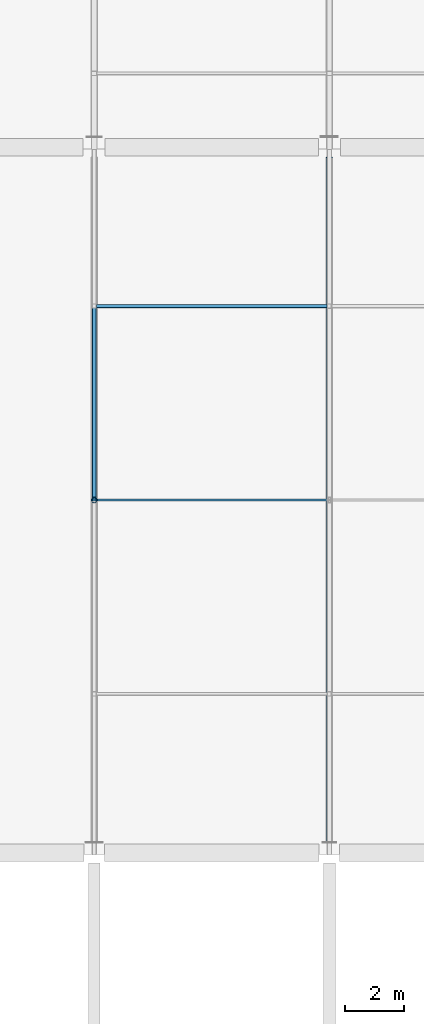
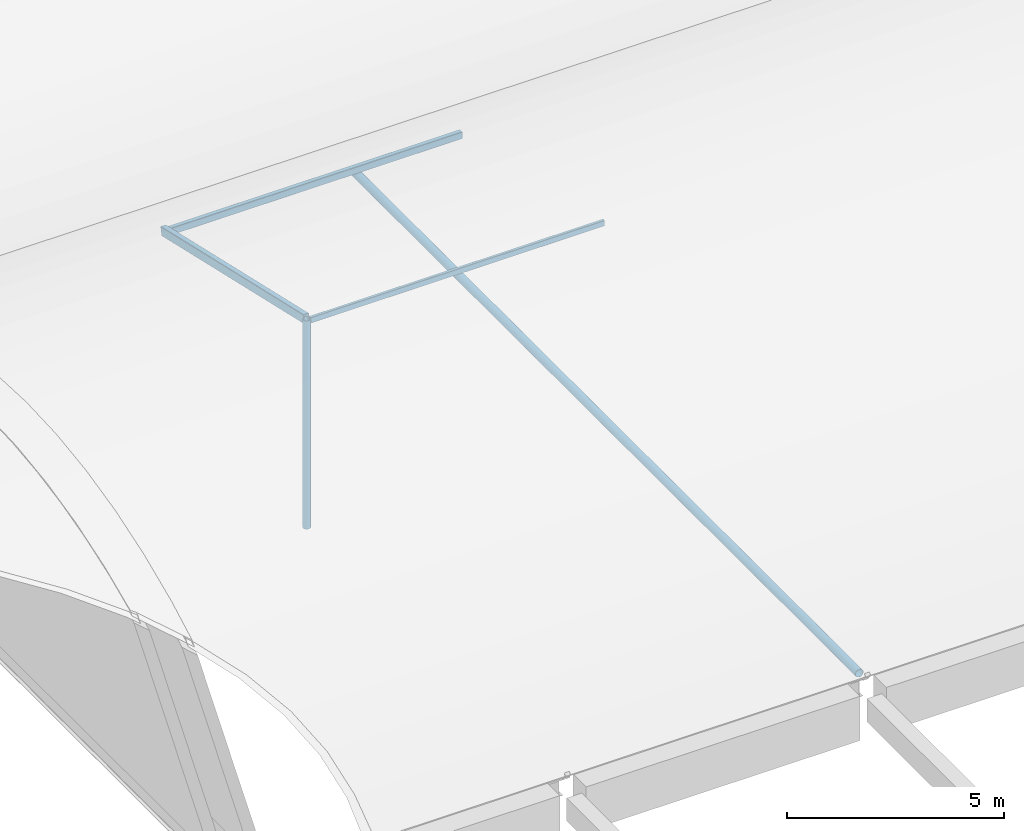
# One storey, part 28 of 57: 5 members.
"""IFC4 building model written with IfcOpenShell, lengths in metres."""

from ifc_helpers import new_model, si_unit, direction, frame, origin, origin_2d, place, context, subcontext, project, spatial, hollow_rectangle, hollow_circle, extrude, material, material_profile, profile_set, type_object, element, save


model = new_model("IFC4")

# Units and contexts
model_context = context("Model", 3, precision=1e-05, world=origin(), true_north=direction((0.0, 1.0)))
body_context = subcontext(model_context, "Body", "Model", "MODEL_VIEW")
ifc_project = project(units=[si_unit("LENGTHUNIT", "METRE"), si_unit("AREAUNIT", "SQUARE_METRE"), si_unit("VOLUMEUNIT", "CUBIC_METRE"), si_unit("PLANEANGLEUNIT", "RADIAN"), si_unit("MASSUNIT", "GRAM", prefix="KILO"), si_unit("THERMODYNAMICTEMPERATUREUNIT", "KELVIN"), si_unit("POWERUNIT", "WATT")], contexts=[model_context])

# Site, building, storey
site_placement = place(None, origin())
site = spatial("IfcSite", under=ifc_project, at=site_placement, CompositionType="ELEMENT")
building_placement = place(site_placement, origin())
building = spatial("IfcBuilding", under=site, at=building_placement, Name="Kronsvod Quay Wholesale Market", CompositionType="ELEMENT")
storey_placement = place(building_placement, frame((0.0, 0.0, 13.199951171875)))
storey = spatial("IfcBuildingStorey", under=building, at=storey_placement, Name="L03", CompositionType="ELEMENT", Elevation=13.199951171875)

# Members
ifc_material_1 = material(Name="Steel S355", Category="steel")
ifc_material_profile_1 = material_profile(ifc_material_1, hollow_rectangle(XDim=0.14990234375, YDim=0.25, WallThickness=0.010009765625, InnerFilletRadius=0.010009765625, OuterFilletRadius=0.02001953125, at=origin_2d()), Name="RHS250x150x10")
ifc_profile_set_1 = profile_set([ifc_material_profile_1], Name="Steel S355")
member_type_1 = type_object("IfcMemberType", Name="Member_Arch250x150", PredefinedType="RAFTER", material=ifc_profile_set_1)
member_1_placement = place(storey_placement, frame((136.0, 66.0, 5.64013671875), z_axis=(0.0, 0.974763902227, -0.223238291777), x_axis=(-1.0, 0.0, 0.0)))
element("IfcMember", 1, at=member_1_placement, inside=storey, type_object=member_type_1, Name="ARCG-SH-V2E-M-1360-2", PredefinedType="RAFTER", context=body_context, shape_type="SweptSolid", body=[
    extrude(hollow_rectangle(XDim=0.14990234375, YDim=0.25, WallThickness=0.010009765625, InnerFilletRadius=0.010009765625, OuterFilletRadius=0.02001953125, at=origin_2d()), origin(), (0.0, 0.0, 1.0), 6.76513671875),
])
ifc_material_2 = material(Name="Steel S355", Category="steel")
ifc_material_profile_2 = material_profile(ifc_material_2, hollow_circle(Radius=0.096923828125, WallThickness=0.008056640625, at=origin_2d()), Name="CHS194x8")
ifc_profile_set_2 = profile_set([ifc_material_profile_2], Name="Steel S355")
member_type_2 = type_object("IfcMemberType", Name="Member_Brace194x8", PredefinedType="BRACE", material=ifc_profile_set_2)
member_2_placement = place(storey_placement, frame((136.0, 66.0, -0.22998046875), z_axis=(0.0, 0.0, 1.0), x_axis=(1.0, 0.0, 0.0)))
element("IfcMember", 2, at=member_2_placement, inside=storey, type_object=member_type_2, Name="KPST-SH-V2E-M-1360", PredefinedType="BRACE", context=body_context, shape_type="SweptSolid", body=[
    extrude(hollow_circle(Radius=0.096923828125, WallThickness=0.008056640625, at=origin_2d()), origin(), (0.0, 0.0, 1.0), 5.8701171875),
])
ifc_material_3 = material(Name="Steel S355", Category="steel")
ifc_material_profile_3 = material_profile(ifc_material_3, hollow_circle(Radius=0.109619140625, WallThickness=0.010009765625, at=origin_2d()), Name="CHS219x10")
ifc_profile_set_3 = profile_set([ifc_material_profile_3], Name="Steel S355")
member_type_3 = type_object("IfcMemberType", Name="Member_Chord219x10", PredefinedType="CHORD", material=ifc_profile_set_3)
member_3_placement = place(storey_placement, frame((144.0, 54.340087890625, -0.079833984375), z_axis=(0.0, 1.0, 0.0), x_axis=(-1.0, 0.0, 0.0)))
element("IfcMember", 3, at=member_3_placement, inside=storey, type_object=member_type_3, Name="CHDG-SH-V2E-M-1440", PredefinedType="CHORD", context=body_context, shape_type="SweptSolid", body=[
    extrude(hollow_circle(Radius=0.109619140625, WallThickness=0.010009765625, at=origin_2d()), origin(), (0.0, 0.0, 1.0), 23.31982421875),
])
ifc_material_4 = material(Name="Steel S355", Category="steel")
ifc_material_profile_4 = material_profile(ifc_material_4, hollow_rectangle(XDim=0.1201171875, YDim=0.199951171875, WallThickness=0.008056640625, InnerFilletRadius=0.008056640625, OuterFilletRadius=0.01611328125, at=origin_2d()), Name="RHS200x120x8")
ifc_profile_set_4 = profile_set([ifc_material_profile_4], Name="Steel S355")
member_type_4 = type_object("IfcMemberType", Name="Member_Girt200x120", PredefinedType="PURLIN", material=ifc_profile_set_4)
member_4_placement = place(storey_placement, frame((136.080078125, 72.594482421875, 4.070068359375), z_axis=(1.0, 0.0, 0.0), x_axis=(0.0, 1.0, 0.0)))
element("IfcMember", 4, at=member_4_placement, inside=storey, type_object=member_type_4, Name="PRLG-SH-V2E-M-0-2", PredefinedType="PURLIN", context=body_context, shape_type="SweptSolid", body=[
    extrude(hollow_rectangle(XDim=0.1201171875, YDim=0.199951171875, WallThickness=0.008056640625, InnerFilletRadius=0.008056640625, OuterFilletRadius=0.01611328125, at=origin_2d()), origin(), (0.0, 0.0, 1.0), 7.83984375),
])
ifc_material_5 = material(Name="Steel S355", Category="steel")
ifc_material_profile_5 = material_profile(ifc_material_5, hollow_rectangle(XDim=0.080078125, YDim=0.159912109375, WallThickness=0.006103515625, InnerFilletRadius=0.006103515625, OuterFilletRadius=0.011962890625, at=origin_2d()), Name="RHS160x80x6")
ifc_profile_set_5 = profile_set([ifc_material_profile_5], Name="Steel S355")
member_type_5 = type_object("IfcMemberType", Name="Member_Purlin160x80", PredefinedType="PURLIN", material=ifc_profile_set_5)
member_5_placement = place(storey_placement, frame((136.080078125, 66.0, 5.580078125), z_axis=(1.0, 0.0, 0.0), x_axis=(0.0, 1.0, 0.0)))
element("IfcMember", 5, at=member_5_placement, inside=storey, type_object=member_type_5, Name="PRLG-SH-V2E-M-0-1", PredefinedType="PURLIN", context=body_context, shape_type="SweptSolid", body=[
    extrude(hollow_rectangle(XDim=0.080078125, YDim=0.159912109375, WallThickness=0.006103515625, InnerFilletRadius=0.006103515625, OuterFilletRadius=0.011962890625, at=origin_2d()), origin(), (0.0, 0.0, 1.0), 7.83984375),
])

save(model, "model.ifc")
